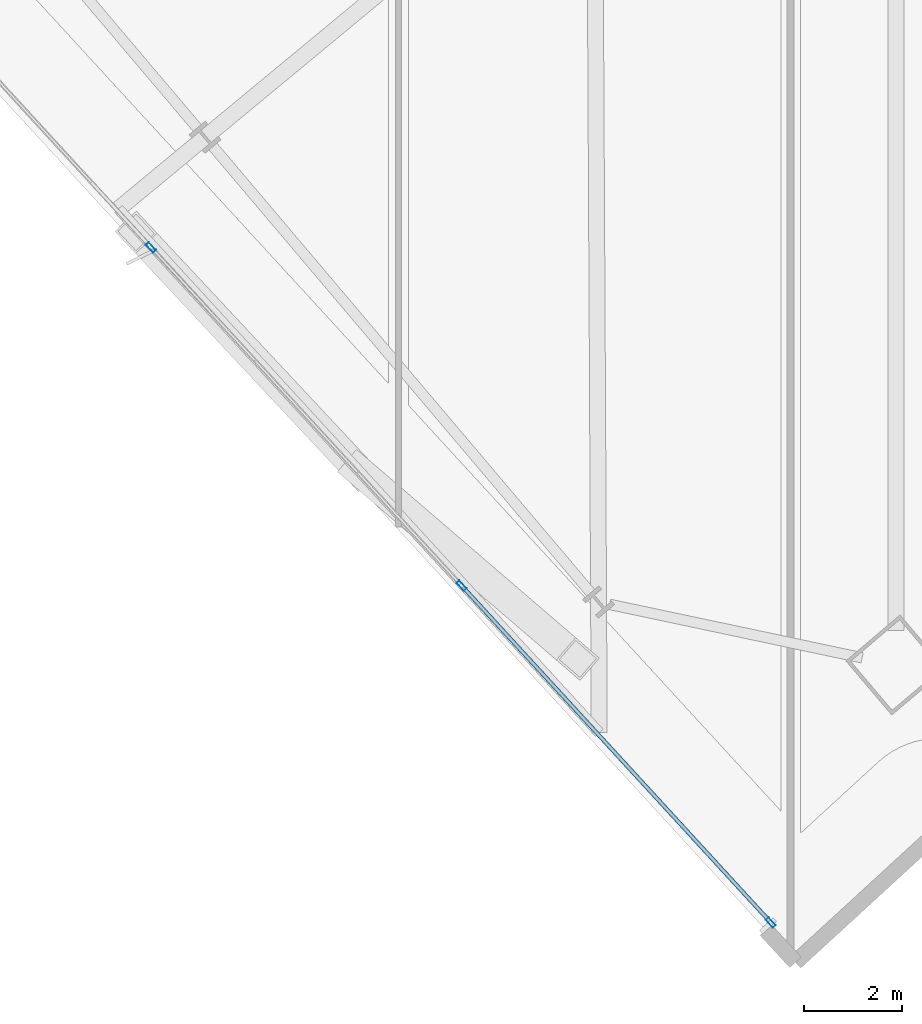
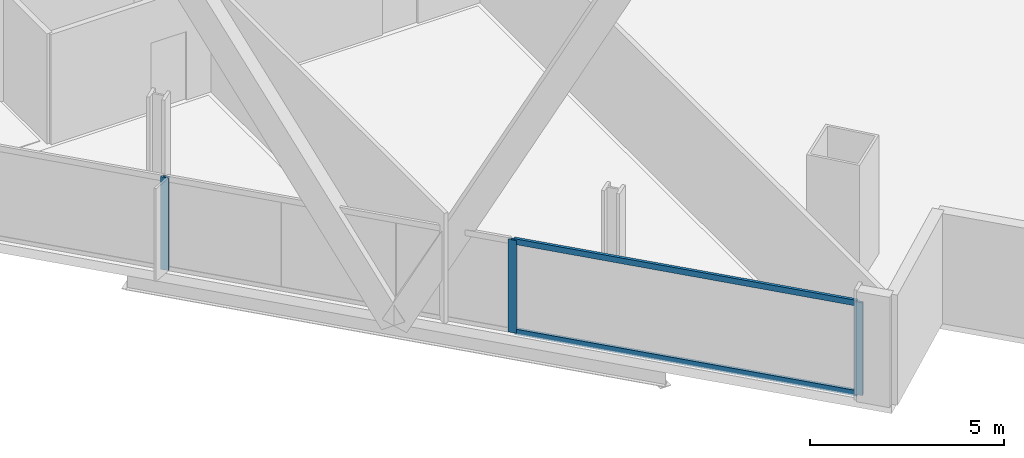
# One storey, part 2 of 32: 5 members, 1 element without a shape of its own.
"""IFC4 building model written with IfcOpenShell, lengths in metres."""

from ifc_helpers import new_model, si_unit, direction, frame, origin, origin_2d, place, context, subcontext, project, spatial, hollow_rectangle, extrude, material, material_profile, profile_set, type_object, element, aggregate, save


model = new_model("IFC4")

# Units and contexts
model_context = context("Model", 3, precision=1e-05, world=origin(), true_north=direction((0.0, 1.0)))
body_context = subcontext(model_context, "Body", "Model", "MODEL_VIEW")
ifc_project = project(units=[si_unit("LENGTHUNIT", "METRE"), si_unit("AREAUNIT", "SQUARE_METRE"), si_unit("VOLUMEUNIT", "CUBIC_METRE"), si_unit("PLANEANGLEUNIT", "RADIAN"), si_unit("MASSUNIT", "GRAM", prefix="KILO")], contexts=[model_context])

# Site, building, storey
site_placement = place(None, origin())
site = spatial("IfcSite", under=ifc_project, at=site_placement, CompositionType="ELEMENT")
building_placement = place(site_placement, origin())
building = spatial("IfcBuilding", under=site, at=building_placement, Name="Haldenkirk Collegiate Tower", CompositionType="ELEMENT")
storey_placement = place(building_placement, frame((0.0, 0.0, 170.699951171875)))
storey = spatial("IfcBuildingStorey", under=building, at=storey_placement, Name="L42", CompositionType="ELEMENT", Elevation=170.699951171875)

# Curtain wall, members
ifc_material = material(Name="Anodised architectural bronze aluminium", Category="aluminium")
curtain_wall_type = type_object("IfcCurtainWallType", Name="CW-SYS1-CONVEX-LOW", PredefinedType="USERDEFINED", material=ifc_material)
curtain_wall_placement = place(storey_placement, origin())
curtain_wall = element("IfcCurtainWall", 1, at=curtain_wall_placement, inside=storey, type_object=curtain_wall_type, Name="L42 Lower tower convex bronze-framed unitised curtain wall", ObjectType="UNITISED CURTAIN WALL", PredefinedType="USERDEFINED")
ifc_material_profile_1 = material_profile(ifc_material, hollow_rectangle(XDim=0.080078125, YDim=0.219970703125, WallThickness=0.0048828125, at=origin_2d()), Name="CW-MUL-1A")
ifc_profile_set_1 = profile_set([ifc_material_profile_1], Name="Anodised architectural bronze aluminium")
member_type_1 = type_object("IfcMemberType", Name="CW-MUL-1A", PredefinedType="MULLION", material=ifc_profile_set_1)
member_1_placement = place(storey_placement, frame((30.596435546875, -4.594970703125, 0.0), z_axis=(0.0, 0.0, 1.0), x_axis=(-0.736688527954, -0.676232218088, 0.0)))
member_1 = element("IfcMember", 2, at=member_1_placement, type_object=member_type_1, Name="CW-1A mullion 1", PredefinedType="MULLION", context=body_context, shape_type="SweptSolid", body=[
    extrude(hollow_rectangle(XDim=0.080078125, YDim=0.219970703125, WallThickness=0.0048828125, at=origin_2d()), origin(), (0.0, 0.0, 1.0), 2.9111328125),
])
member_2_placement = place(storey_placement, frame((24.2880859375, 2.27734375, 0.0), z_axis=(0.0, 0.0, 1.0), x_axis=(-0.736688527954, -0.676232218088, 0.0)))
member_2 = element("IfcMember", 3, at=member_2_placement, type_object=member_type_1, Name="CW-1A mullion 2", PredefinedType="MULLION", context=body_context, shape_type="SweptSolid", body=[
    extrude(hollow_rectangle(XDim=0.080078125, YDim=0.219970703125, WallThickness=0.0048828125, at=origin_2d()), origin(), (0.0, 0.0, 1.0), 2.9111328125),
])
member_3_placement = place(storey_placement, frame((17.95263671875, 9.17919921875, 0.0), z_axis=(0.0, 0.0, 1.0), x_axis=(-0.736688527954, -0.676232218088, 0.0)))
member_3 = element("IfcMember", 4, at=member_3_placement, type_object=member_type_1, Name="CW-1A mullion 3", PredefinedType="MULLION", context=body_context, shape_type="SweptSolid", body=[
    extrude(hollow_rectangle(XDim=0.080078125, YDim=0.219970703125, WallThickness=0.0048828125, at=origin_2d()), origin(), (0.0, 0.0, 1.0), 2.9111328125),
])
ifc_material_profile_2 = material_profile(ifc_material, hollow_rectangle(XDim=0.080078125, YDim=0.179931640625, WallThickness=0.0048828125, at=origin_2d()), Name="CW-TRN-1A")
ifc_profile_set_2 = profile_set([ifc_material_profile_2], Name="Anodised architectural bronze aluminium")
member_type_2 = type_object("IfcMemberType", Name="CW-TRN-1A", PredefinedType="USERDEFINED", material=ifc_profile_set_2)
member_4_placement = place(storey_placement, frame((30.569580078125, -4.565673828125, 0.0400390625), z_axis=(-0.6762360678, 0.736684994151, 0.0), x_axis=(-0.736684994151, -0.6762360678, 0.0)))
member_4 = element("IfcMember", 5, at=member_4_placement, type_object=member_type_2, Name="CW-1A transom 1.1", ObjectType="TRANSOM", PredefinedType="USERDEFINED", context=body_context, shape_type="SweptSolid", body=[
    extrude(hollow_rectangle(XDim=0.080078125, YDim=0.179931640625, WallThickness=0.0048828125, at=origin_2d()), origin(), (0.0, 0.0, 1.0), 9.248779296875),
])
member_5_placement = place(storey_placement, frame((30.569580078125, -4.565673828125, 2.87109375), z_axis=(-0.6762360678, 0.736684994151, 0.0), x_axis=(-0.736684994151, -0.6762360678, 0.0)))
member_5 = element("IfcMember", 6, at=member_5_placement, type_object=member_type_2, Name="CW-1A transom 1.2", ObjectType="TRANSOM", PredefinedType="USERDEFINED", context=body_context, shape_type="SweptSolid", body=[
    extrude(hollow_rectangle(XDim=0.080078125, YDim=0.179931640625, WallThickness=0.0048828125, at=origin_2d()), origin(), (0.0, 0.0, 1.0), 9.248779296875),
])
aggregate(curtain_wall, [member_1, member_2, member_3, member_4, member_5])

save(model, "model.ifc")
